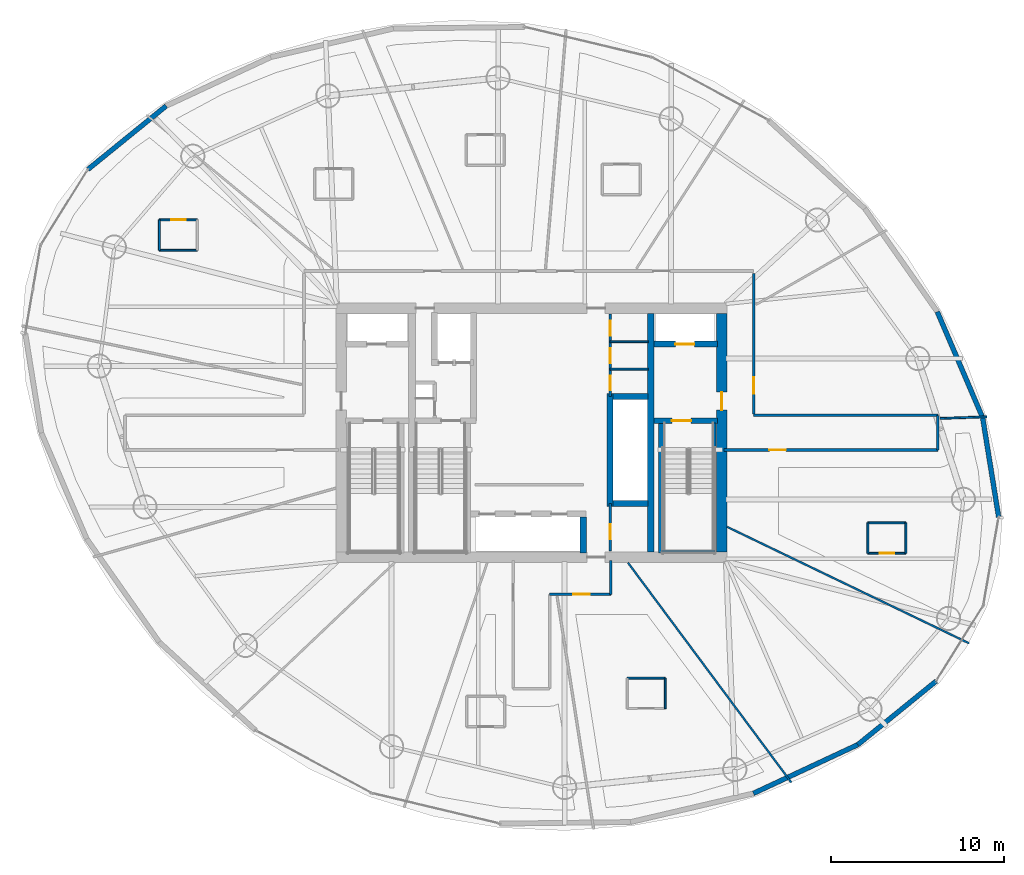
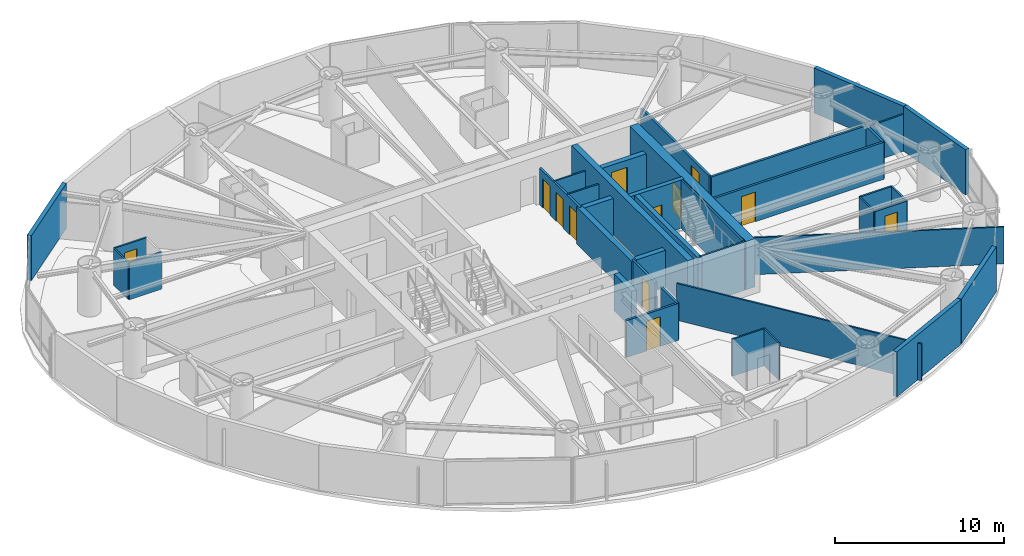
# One storey, part 17 of 22: 38 walls, 12 doors, 12 openings.
"""IFC4 building model written with IfcOpenShell, lengths in metres."""

from ifc_helpers import new_model, si_unit, direction, frame, frame_2d, origin, place, context, subcontext, project, spatial, rectangle, extrude, material, layer, layer_set, type_object, element, fill, save


model = new_model("IFC4")

# Units and contexts
model_context = context("Model", 3, precision=1e-05, world=origin(), true_north=direction((0.0, 1.0)))
body_context = subcontext(model_context, "Body", "Model", "MODEL_VIEW")
ifc_project = project(units=[si_unit("LENGTHUNIT", "METRE"), si_unit("AREAUNIT", "SQUARE_METRE"), si_unit("VOLUMEUNIT", "CUBIC_METRE"), si_unit("PLANEANGLEUNIT", "RADIAN"), si_unit("MASSUNIT", "GRAM", prefix="KILO")], contexts=[model_context])

# Site, building, storey
site_placement = place(None, origin())
site = spatial("IfcSite", under=ifc_project, at=site_placement, CompositionType="ELEMENT")
building_placement = place(site_placement, origin())
building = spatial("IfcBuilding", under=site, at=building_placement, Name="Bramvorn Convention Spire", CompositionType="ELEMENT")
storey_placement = place(building_placement, frame((0.0, 0.0, 116.800048828125)))
storey = spatial("IfcBuildingStorey", under=building, at=storey_placement, Name="L28", CompositionType="ELEMENT", Elevation=116.800048828125)

# Wall, opening, door
ifc_material_1 = material(Name="Concrete C60/70", Category="concrete")
ifc_layer_1 = layer(ifc_material_1, 0.60009765625)
ifc_layer_set_1 = layer_set([ifc_layer_1], Name="Concrete C60/70 - WL-CORE-600")
wall_type_1 = type_object("IfcWallType", Name="WL-CORE-600", PredefinedType="SHEAR", material=ifc_layer_set_1)
wall_1_placement = place(storey_placement, frame((49.0, 19.10009765625, 0.0), z_axis=(0.0, 0.0, 1.0), x_axis=(0.0, 1.0, 0.0)))
wall_1 = element("IfcWall", 1, at=wall_1_placement, inside=storey, type_object=wall_type_1, Name="L28 East RC core shear wall", PredefinedType="SHEAR", context=body_context, shape_type="SweptSolid", body=[
    extrude(rectangle(XDim=13.7998046875, YDim=0.60009765625, at=frame_2d((6.89990234375, 0.0))), origin(), (0.0, 0.0, 1.0), 3.5),
])
opening_1_placement = place(wall_1_placement, frame((8.199951171875, 0.0, 0.0)))
opening_1 = element("IfcOpeningElement", 2, at=opening_1_placement, cuts=wall_1, Name="Opening DL-105", PredefinedType="OPENING", context=body_context, shape_type="SweptSolid", body=[
    extrude(rectangle(XDim=1.050048828125, YDim=2.14990234375, at=frame_2d((0.52490234375, 1.074951171875))), frame((0.0, 0.31005859375, 0.0), z_axis=(0.0, -1.0, 0.0), x_axis=(1.0, 0.0, 0.0)), (0.0, 0.0, 1.0), 0.6201171875),
])
ifc_material_2 = material(Name="Smoke-Sealed Fire Lobby Timber-Core Door", Category="wood")
door_type_1 = type_object("IfcDoorType", Name="DR-LOBBY-1050", OperationType="NOTDEFINED", PredefinedType="DOOR", material=ifc_material_2)
door_1_placement = place(opening_1_placement, origin())
door_1 = element("IfcDoor", 3, at=door_1_placement, inside=storey, type_object=door_type_1, Name="L28 East Firefighting Lobby corridor door", OperationType="SINGLE_SWING_LEFT", OverallHeight=2.14990234375, OverallWidth=1.050048828125, PredefinedType="DOOR", context=body_context, shape_type="SweptSolid", body=[
    extrude(rectangle(XDim=1.050048828125, YDim=2.14990234375, at=frame_2d((0.52490234375, 1.074951171875))), frame((0.0, 0.02490234375, 0.0), z_axis=(0.0, -1.0, 0.0), x_axis=(1.0, 0.0, 0.0)), (0.0, 0.0, 1.0), 0.050048828125),
])
fill(opening_1, door_1)

ifc_material_3 = material(Name="Concrete C50/60", Category="concrete")
ifc_layer_2 = layer(ifc_material_3, 0.35009765625)
ifc_layer_set_2 = layer_set([ifc_layer_2], Name="Concrete C50/60 - WL-CORE-INT-350")
wall_type_2 = type_object("IfcWallType", Name="WL-CORE-INT-350", PredefinedType="SHEAR", material=ifc_layer_set_2)
wall_2_placement = place(storey_placement, frame((45.080078125, 31.1201171875, 0.0), z_axis=(0.0, 0.0, 1.0), x_axis=(1.0, 0.0, 0.0)))
wall_2 = element("IfcWall", 4, at=wall_2_placement, inside=storey, type_object=wall_type_2, Name="L28 FE2 shaft front wall", PredefinedType="SHEAR", context=body_context, shape_type="SweptSolid", body=[
    extrude(rectangle(XDim=3.669921875, YDim=0.35009765625, at=frame_2d((1.8349609375, 0.0))), origin(), (0.0, 0.0, 1.0), 2.675048828125),
])
opening_2_placement = place(wall_2_placement, frame((1.25, 0.0, 0.0)))
opening_2 = element("IfcOpeningElement", 5, at=opening_2_placement, cuts=wall_2, Name="Opening LD-110", PredefinedType="OPENING", context=body_context, shape_type="SweptSolid", body=[
    extrude(rectangle(XDim=1.10009765625, YDim=2.14990234375, at=frame_2d((0.550048828125, 1.074951171875))), frame((0.0, 0.18505859375, 0.0), z_axis=(0.0, -1.0, 0.0), x_axis=(1.0, 0.0, 0.0)), (0.0, 0.0, 1.0), 0.3701171875),
])
ifc_material_4 = material(Name="Firefighting & Service Lift Sliding Landing Door", Category="steel")
door_type_2 = type_object("IfcDoorType", Name="DR-LIFT-LD-1100", OperationType="NOTDEFINED", PredefinedType="DOOR", material=ifc_material_4)
door_2_placement = place(opening_2_placement, origin())
door_2 = element("IfcDoor", 6, at=door_2_placement, inside=storey, type_object=door_type_2, Name="L28 Lift FE2 Sliding Landing Door", OperationType="SLIDING_TO_LEFT", OverallHeight=2.14990234375, OverallWidth=1.10009765625, PredefinedType="DOOR", context=body_context, shape_type="SweptSolid", body=[
    extrude(rectangle(XDim=1.10009765625, YDim=2.14990234375, at=frame_2d((0.550048828125, 1.074951171875))), frame((0.0, 0.02490234375, 0.0), z_axis=(0.0, -1.0, 0.0), x_axis=(1.0, 0.0, 0.0)), (0.0, 0.0, 1.0), 0.050048828125),
])
fill(opening_2, door_2)

# Walls
wall_3_placement = place(storey_placement, frame((42.550048828125, 21.72998046875, 0.0), z_axis=(0.0, 0.0, 1.0), x_axis=(0.0, 1.0, 0.0)))
element("IfcWall", 7, at=wall_3_placement, inside=storey, type_object=wall_type_2, Name="L28 High-rise lift bank west wall", PredefinedType="SHEAR", context=body_context, shape_type="SweptSolid", body=[
    extrude(rectangle(XDim=6.5400390625, YDim=0.35009765625, at=frame_2d((3.27001953125, 0.0))), origin(), (0.0, 0.0, 1.0), 2.675048828125),
])
for number, where, z_axis, x_axis, name in (
    (8, (42.719970703125, 21.89990234375, 0.0), (0.0, 0.0, 1.0), (1.0, 0.0, 0.0), "L28 High-rise lift bank south wall"),
    (9, (42.719970703125, 28.10009765625, 0.0), (0.0, 0.0, 1.0), (1.0, 0.0, 0.0), "L28 High-rise lift bank north wall"),
):
    element("IfcWall", number, at=place(storey_placement, frame(where, z_axis=z_axis, x_axis=x_axis)), inside=storey, type_object=wall_type_2, Name=name, PredefinedType="SHEAR", context=body_context, shape_type="SweptSolid", body=[
        extrude(rectangle(XDim=2.030029296875, YDim=0.35009765625, at=frame_2d((1.01513671875, 0.0))), origin(), (0.0, 0.0, 1.0), 2.675048828125),
    ])
wall_4_placement = place(storey_placement, frame((41.0, 19.050048828125, 0.0), z_axis=(0.0, 0.0, 1.0), x_axis=(0.0, 1.0, 0.0)))
element("IfcWall", 10, at=wall_4_placement, inside=storey, type_object=wall_type_2, Name="L28 Mid-rise bank east cheek wall", PredefinedType="SHEAR", context=body_context, shape_type="SweptSolid", body=[
    extrude(rectangle(XDim=2.079833984375, YDim=0.35009765625, at=frame_2d((1.0400390625, 0.0))), origin(), (0.0, 0.0, 1.0), 2.675048828125),
])
ifc_layer_3 = layer(ifc_material_1, 0.39990234375)
ifc_layer_set_3 = layer_set([ifc_layer_3], Name="Concrete C60/70 - WL-CORE-INT-400")
wall_type_3 = type_object("IfcWallType", Name="WL-CORE-INT-400", PredefinedType="SHEAR", material=ifc_layer_set_3)
wall_5_placement = place(storey_placement, frame((44.89990234375, 19.10009765625, 0.0), z_axis=(0.0, 0.0, 1.0), x_axis=(0.0, 1.0, 0.0)))
element("IfcWall", 11, at=wall_5_placement, inside=storey, type_object=wall_type_3, Name="L28 East internal core shear web", PredefinedType="SHEAR", context=body_context, shape_type="SweptSolid", body=[
    extrude(rectangle(XDim=13.7998046875, YDim=0.39990234375, at=frame_2d((6.89990234375, 0.0))), origin(), (0.0, 0.0, 1.0), 3.5),
])
ifc_material_5 = material(Name="Precast Concrete C40/50 with Bronze Terracotta Rainscreen", Category="masonry")
ifc_layer_4 = layer(ifc_material_5, 0.300048828125)
ifc_layer_set_4 = layer_set([ifc_layer_4], Name="Precast Concrete C40/50 with Bronze Terracotta Rainscreen - WL-EXT-BRONZE-300")
wall_type_4 = type_object("IfcWallType", Name="WL-EXT-BRONZE-300", PredefinedType="SOLIDWALL", material=ifc_layer_set_4)
wall_6_placement = place(storey_placement, frame((64.096435546875, 26.86572265625, 0.0), z_axis=(0.0, 0.0, 1.0), x_axis=(0.158909460881, -0.987293159726, 0.0)))
element("IfcWall", 12, at=wall_6_placement, inside=storey, type_object=wall_type_4, Name="L28 expressed bronze Gothic lancet pier wall 02", PredefinedType="SOLIDWALL", context=body_context, shape_type="SweptSolid", body=[
    extrude(rectangle(XDim=5.82275390625, YDim=0.280029296875, at=frame_2d((2.911376953125, 0.0))), origin(), (0.0, 0.0, 1.0), 3.260009765625),
])
wall_7_placement = place(storey_placement, frame((61.47216796875, 32.992431640625, 0.0), z_axis=(0.0, 0.0, 1.0), x_axis=(0.393733615398, -0.919224586326, 0.0)))
element("IfcWall", 13, at=wall_7_placement, inside=storey, type_object=wall_type_4, Name="L28 expressed bronze Gothic lancet pier wall 03", PredefinedType="SOLIDWALL", context=body_context, shape_type="SweptSolid", body=[
    extrude(rectangle(XDim=6.6650390625, YDim=0.280029296875, at=frame_2d((3.33251953125, 0.0))), origin(), (0.0, 0.0, 1.0), 3.260009765625),
])
wall_8_placement = place(storey_placement, frame((12.359130859375, 41.226806640625, 0.0), z_axis=(0.0, 0.0, 1.0), x_axis=(0.776513988791, 0.630100012071, 0.0)))
element("IfcWall", 14, at=wall_8_placement, inside=storey, type_object=wall_type_4, Name="L28 expressed bronze Gothic lancet pier wall 11", PredefinedType="SOLIDWALL", context=body_context, shape_type="SweptSolid", body=[
    extrude(rectangle(XDim=5.82275390625, YDim=0.280029296875, at=frame_2d((2.911376953125, 0.0))), origin(), (0.0, 0.0, 1.0), 3.260009765625),
])
wall_9_placement = place(storey_placement, frame((56.877197265625, 7.96044921875, 0.0), z_axis=(0.0, 0.0, 1.0), x_axis=(-0.906209341309, -0.422829315119, 0.0)))
element("IfcWall", 15, at=wall_9_placement, inside=storey, type_object=wall_type_4, Name="L28 expressed bronze Gothic lancet pier wall 22", PredefinedType="SOLIDWALL", context=body_context, shape_type="SweptSolid", body=[
    extrude(rectangle(XDim=6.664794921875, YDim=0.280029296875, at=frame_2d((3.33251953125, 0.0))), origin(), (0.0, 0.0, 1.0), 3.260009765625),
])
wall_10_placement = place(storey_placement, frame((61.398681640625, 11.62939453125, 0.0), z_axis=(0.0, 0.0, 1.0), x_axis=(-0.776513988791, -0.630100012071, 0.0)))
element("IfcWall", 16, at=wall_10_placement, inside=storey, type_object=wall_type_4, Name="L28 expressed bronze Gothic lancet pier wall 23", PredefinedType="SOLIDWALL", context=body_context, shape_type="SweptSolid", body=[
    extrude(rectangle(XDim=5.82275390625, YDim=0.280029296875, at=frame_2d((2.911376953125, 0.0))), origin(), (0.0, 0.0, 1.0), 3.260009765625),
])
ifc_material_6 = material(Name="Lightweight En-Suite & Wet-Wall Partition", Category="gypsum")
ifc_layer_5 = layer(ifc_material_6, 0.110107421875)
ifc_layer_set_5 = layer_set([ifc_layer_5], Name="Lightweight En-Suite & Wet-Wall Partition - WL-PART-110")
wall_type_5 = type_object("IfcWallType", Name="WL-PART-110", PredefinedType="PARTITIONING", material=ifc_layer_set_5)
for number, where, z_axis, x_axis, name in (
    (17, (42.550048828125, 29.679931640625, 0.0), (0.0, 0.0, 1.0), (1.0, 0.0, 0.0), "L28 KC NE div 1"),
    (18, (42.550048828125, 31.260009765625, 0.0), (0.0, 0.0, 1.0), (1.0, 0.0, 0.0), "L28 KC NE div 2"),
):
    element("IfcWall", number, at=place(storey_placement, frame(where, z_axis=z_axis, x_axis=x_axis)), inside=storey, type_object=wall_type_5, Name=name, PredefinedType="PARTITIONING", context=body_context, shape_type="SweptSolid", body=[
        extrude(rectangle(XDim=2.199951171875, YDim=0.110107421875, at=frame_2d((1.10009765625, 0.0))), origin(), (0.0, 0.0, 1.0), 2.675048828125),
    ])
wall_11_placement = place(storey_placement, frame((61.639892578125, 26.825439453125, 0.0), z_axis=(0.0, 0.0, 1.0), x_axis=(0.999389106182, 0.03494874026, 0.0)))
element("IfcWall", 19, at=wall_11_placement, inside=storey, type_object=wall_type_5, Name="L28 Guestroom demising wall 1", PredefinedType="PARTITIONING", context=body_context, shape_type="SweptSolid", body=[
    extrude(rectangle(XDim=2.696533203125, YDim=0.110107421875, at=frame_2d((1.34814453125, 0.0))), origin(), (0.0, 0.0, 1.0), 2.675048828125),
])
wall_12_placement = place(storey_placement, frame((43.587890625, 18.47998046875, 0.0), z_axis=(0.0, 0.0, 1.0), x_axis=(0.596440621001, -0.802657203057, 0.0)))
element("IfcWall", 20, at=wall_12_placement, inside=storey, type_object=wall_type_5, Name="L28 Guestroom demising wall 12", PredefinedType="PARTITIONING", context=body_context, shape_type="SweptSolid", body=[
    extrude(rectangle(XDim=15.840576171875, YDim=0.110107421875, at=frame_2d((7.92041015625, 0.0))), origin(), (0.0, 0.0, 1.0), 2.675048828125),
])
wall_13_placement = place(storey_placement, frame((49.320068359375, 20.553955078125, 0.0), z_axis=(0.0, 0.0, 1.0), x_axis=(0.901134026531, -0.433540616583, 0.0)))
element("IfcWall", 21, at=wall_13_placement, inside=storey, type_object=wall_type_5, Name="L28 Guestroom demising wall 13", PredefinedType="PARTITIONING", context=body_context, shape_type="SweptSolid", body=[
    extrude(rectangle(XDim=15.5361328125, YDim=0.110107421875, at=frame_2d((7.76806640625, 0.0))), origin(), (0.0, 0.0, 1.0), 2.675048828125),
])
wall_14_placement = place(storey_placement, frame((16.484375, 36.54931640625, 0.0), z_axis=(0.0, 0.0, 1.0), x_axis=(1.0, 0.0, 0.0)))
element("IfcWall", 22, at=wall_14_placement, inside=storey, type_object=wall_type_5, Name="Hotel Suite 2806 en-suite south wall", PredefinedType="PARTITIONING", context=body_context, shape_type="SweptSolid", body=[
    extrude(rectangle(XDim=2.199951171875, YDim=0.110107421875, at=frame_2d((1.10009765625, 0.0))), origin(), (0.0, 0.0, 1.0), 2.675048828125),
])

# Wall, opening, door
wall_15_placement = place(storey_placement, frame((16.484375, 38.30908203125, 0.0), z_axis=(0.0, 0.0, 1.0), x_axis=(1.0, 0.0, 0.0)))
wall_15 = element("IfcWall", 23, at=wall_15_placement, inside=storey, type_object=wall_type_5, Name="Hotel Suite 2806 en-suite north wall", PredefinedType="PARTITIONING", context=body_context, shape_type="SweptSolid", body=[
    extrude(rectangle(XDim=2.199951171875, YDim=0.110107421875, at=frame_2d((1.10009765625, 0.0))), origin(), (0.0, 0.0, 1.0), 2.675048828125),
])
opening_3_placement = place(wall_15_placement, frame((0.679931640625, 0.0, 0.0)))
opening_3 = element("IfcOpeningElement", 24, at=opening_3_placement, cuts=wall_15, Name="Opening DI-085", PredefinedType="OPENING", context=body_context, shape_type="SweptSolid", body=[
    extrude(rectangle(XDim=0.85009765625, YDim=2.10009765625, at=frame_2d((0.425048828125, 1.050048828125))), frame((0.0, 0.06494140625, 0.0), z_axis=(0.0, -1.0, 0.0), x_axis=(1.0, 0.0, 0.0)), (0.0, 0.0, 1.0), 0.130126953125),
])
ifc_material_7 = material(Name="En-Suite & Restroom Privacy Door", Category="wood")
door_type_3 = type_object("IfcDoorType", Name="DR-INT-850", OperationType="NOTDEFINED", PredefinedType="DOOR", material=ifc_material_7)
door_3_placement = place(opening_3_placement, origin())
door_3 = element("IfcDoor", 25, at=door_3_placement, inside=storey, type_object=door_type_3, Name="Hotel Suite 2806 En-Suite Bathroom door", OperationType="SINGLE_SWING_LEFT", OverallHeight=2.10009765625, OverallWidth=0.85009765625, PredefinedType="DOOR", context=body_context, shape_type="SweptSolid", body=[
    extrude(rectangle(XDim=0.85009765625, YDim=2.10009765625, at=frame_2d((0.425048828125, 1.050048828125))), frame((0.0, 0.02490234375, 0.0), z_axis=(0.0, -1.0, 0.0), x_axis=(1.0, 0.0, 0.0)), (0.0, 0.0, 1.0), 0.050048828125),
])
fill(opening_3, door_3)

# Walls
wall_16_placement = place(storey_placement, frame((16.484375, 36.54931640625, 0.0), z_axis=(0.0, 0.0, 1.0), x_axis=(0.0, 1.0, 0.0)))
element("IfcWall", 26, at=wall_16_placement, inside=storey, type_object=wall_type_5, Name="Hotel Suite 2806 en-suite west wall", PredefinedType="PARTITIONING", context=body_context, shape_type="SweptSolid", body=[
    extrude(rectangle(XDim=1.759765625, YDim=0.110107421875, at=frame_2d((0.8798828125, 0.0))), origin(), (0.0, 0.0, 1.0), 2.675048828125),
])
wall_17_placement = place(storey_placement, frame((43.541259765625, 11.8115234375, 0.0), z_axis=(0.0, 0.0, 1.0), x_axis=(1.0, 0.0, 0.0)))
element("IfcWall", 27, at=wall_17_placement, inside=storey, type_object=wall_type_5, Name="Hotel Suite 2811 en-suite north wall", PredefinedType="PARTITIONING", context=body_context, shape_type="SweptSolid", body=[
    extrude(rectangle(XDim=2.199951171875, YDim=0.110107421875, at=frame_2d((1.10009765625, 0.0))), origin(), (0.0, 0.0, 1.0), 2.675048828125),
])
wall_18_placement = place(storey_placement, frame((45.7412109375, 10.051513671875, 0.0), z_axis=(0.0, 0.0, 1.0), x_axis=(0.0, 1.0, 0.0)))
element("IfcWall", 28, at=wall_18_placement, inside=storey, type_object=wall_type_5, Name="Hotel Suite 2811 en-suite east wall", PredefinedType="PARTITIONING", context=body_context, shape_type="SweptSolid", body=[
    extrude(rectangle(XDim=1.760009765625, YDim=0.110107421875, at=frame_2d((0.8798828125, 0.0))), origin(), (0.0, 0.0, 1.0), 2.675048828125),
])

# Wall, opening, door
wall_19_placement = place(storey_placement, frame((57.457275390625, 19.027099609375, 0.0), z_axis=(0.0, 0.0, 1.0), x_axis=(1.0, 0.0, 0.0)))
wall_19 = element("IfcWall", 29, at=wall_19_placement, inside=storey, type_object=wall_type_5, Name="Hotel Suite 2813 en-suite south wall", PredefinedType="PARTITIONING", context=body_context, shape_type="SweptSolid", body=[
    extrude(rectangle(XDim=2.199951171875, YDim=0.110107421875, at=frame_2d((1.10009765625, 0.0))), origin(), (0.0, 0.0, 1.0), 2.675048828125),
])
opening_4_placement = place(wall_19_placement, frame((0.679931640625, 0.0, 0.0)))
opening_4 = element("IfcOpeningElement", 30, at=opening_4_placement, cuts=wall_19, Name="Opening DI-085", PredefinedType="OPENING", context=body_context, shape_type="SweptSolid", body=[
    extrude(rectangle(XDim=0.85009765625, YDim=2.10009765625, at=frame_2d((0.425048828125, 1.050048828125))), frame((0.0, 0.06494140625, 0.0), z_axis=(0.0, -1.0, 0.0), x_axis=(1.0, 0.0, 0.0)), (0.0, 0.0, 1.0), 0.130126953125),
])
door_4_placement = place(opening_4_placement, origin())
door_4 = element("IfcDoor", 31, at=door_4_placement, inside=storey, type_object=door_type_3, Name="Hotel Suite 2813 En-Suite Bathroom door", OperationType="SINGLE_SWING_LEFT", OverallHeight=2.10009765625, OverallWidth=0.85009765625, PredefinedType="DOOR", context=body_context, shape_type="SweptSolid", body=[
    extrude(rectangle(XDim=0.85009765625, YDim=2.10009765625, at=frame_2d((0.425048828125, 1.050048828125))), frame((0.0, 0.02490234375, 0.0), z_axis=(0.0, -1.0, 0.0), x_axis=(1.0, 0.0, 0.0)), (0.0, 0.0, 1.0), 0.050048828125),
])
fill(opening_4, door_4)

# Walls
wall_20_placement = place(storey_placement, frame((57.457275390625, 20.787109375, 0.0), z_axis=(0.0, 0.0, 1.0), x_axis=(1.0, 0.0, 0.0)))
element("IfcWall", 32, at=wall_20_placement, inside=storey, type_object=wall_type_5, Name="Hotel Suite 2813 en-suite north wall", PredefinedType="PARTITIONING", context=body_context, shape_type="SweptSolid", body=[
    extrude(rectangle(XDim=2.199951171875, YDim=0.110107421875, at=frame_2d((1.10009765625, 0.0))), origin(), (0.0, 0.0, 1.0), 2.675048828125),
])
for number, where, z_axis, x_axis, name in (
    (33, (57.457275390625, 19.027099609375, 0.0), (0.0, 0.0, 1.0), (0.0, 1.0, 0.0), "Hotel Suite 2813 en-suite west wall"),
    (34, (59.6572265625, 19.027099609375, 0.0), (0.0, 0.0, 1.0), (0.0, 1.0, 0.0), "Hotel Suite 2813 en-suite east wall"),
):
    element("IfcWall", number, at=place(storey_placement, frame(where, z_axis=z_axis, x_axis=x_axis)), inside=storey, type_object=wall_type_5, Name=name, PredefinedType="PARTITIONING", context=body_context, shape_type="SweptSolid", body=[
        extrude(rectangle(XDim=1.760009765625, YDim=0.110107421875, at=frame_2d((0.8798828125, 0.0))), origin(), (0.0, 0.0, 1.0), 2.675048828125),
    ])

# Wall, openings, doors
ifc_material_8 = material(Name="Acoustic Metal-Stud Tenant/Corridor Partition", Category="gypsum")
ifc_layer_6 = layer(ifc_material_8, 0.14990234375)
ifc_layer_set_6 = layer_set([ifc_layer_6], Name="Acoustic Metal-Stud Tenant/Corridor Partition - WL-PART-150")
wall_type_6 = type_object("IfcWallType", Name="WL-PART-150", PredefinedType="PARTITIONING", material=ifc_layer_set_6)
wall_21_placement = place(storey_placement, frame((42.550048828125, 28.10009765625, 0.0), z_axis=(0.0, 0.0, 1.0), x_axis=(0.0, 1.0, 0.0)))
wall_21 = element("IfcWall", 35, at=wall_21_placement, inside=storey, type_object=wall_type_6, Name="L28 KC NE wall", PredefinedType="PARTITIONING", context=body_context, shape_type="SweptSolid", body=[
    extrude(rectangle(XDim=4.75, YDim=0.14990234375, at=frame_2d((2.375, 0.0))), origin(), (0.0, 0.0, 1.0), 2.675048828125),
])
opening_5_placement = place(wall_21_placement, frame((0.35009765625, 0.0, 0.0)))
opening_5 = element("IfcOpeningElement", 36, at=opening_5_placement, cuts=wall_21, Name="Opening DC-085", PredefinedType="OPENING", context=body_context, shape_type="SweptSolid", body=[
    extrude(rectangle(XDim=0.85009765625, YDim=2.10009765625, at=frame_2d((0.425048828125, 1.050048828125))), frame((0.0, 0.0849609375, 0.0), z_axis=(0.0, -1.0, 0.0), x_axis=(1.0, 0.0, 0.0)), (0.0, 0.0, 1.0), 0.169921875),
])
opening_6_placement = place(wall_21_placement, frame((1.929931640625, 0.0, 0.0)))
opening_6 = element("IfcOpeningElement", 37, at=opening_6_placement, cuts=wall_21, Name="Opening DC-085", PredefinedType="OPENING", context=body_context, shape_type="SweptSolid", body=[
    extrude(rectangle(XDim=0.85009765625, YDim=2.10009765625, at=frame_2d((0.425048828125, 1.050048828125))), frame((0.0, 0.0849609375, 0.0), z_axis=(0.0, -1.0, 0.0), x_axis=(1.0, 0.0, 0.0)), (0.0, 0.0, 1.0), 0.169921875),
])
opening_7_placement = place(wall_21_placement, frame((3.510009765625, 0.0, 0.0)))
opening_7 = element("IfcOpeningElement", 38, at=opening_7_placement, cuts=wall_21, Name="Opening DC-085", PredefinedType="OPENING", context=body_context, shape_type="SweptSolid", body=[
    extrude(rectangle(XDim=0.85009765625, YDim=2.10009765625, at=frame_2d((0.425048828125, 1.050048828125))), frame((0.0, 0.0849609375, 0.0), z_axis=(0.0, -1.0, 0.0), x_axis=(1.0, 0.0, 0.0)), (0.0, 0.0, 1.0), 0.169921875),
])
ifc_material_9 = material(Name="Fire-Rated Core Washroom & IDF Door", Category="wood")
door_type_4 = type_object("IfcDoorType", Name="DR-CORE-850", OperationType="NOTDEFINED", PredefinedType="DOOR", material=ifc_material_9)
door_5_placement = place(opening_5_placement, origin())
door_5 = element("IfcDoor", 39, at=door_5_placement, inside=storey, type_object=door_type_4, Name="L28 Accessible Core Restroom door", OperationType="SINGLE_SWING_LEFT", OverallHeight=2.10009765625, OverallWidth=0.85009765625, PredefinedType="DOOR", context=body_context, shape_type="SweptSolid", body=[
    extrude(rectangle(XDim=0.85009765625, YDim=2.10009765625, at=frame_2d((0.425048828125, 1.050048828125))), frame((0.0, 0.02490234375, 0.0), z_axis=(0.0, -1.0, 0.0), x_axis=(1.0, 0.0, 0.0)), (0.0, 0.0, 1.0), 0.050048828125),
])
fill(opening_5, door_5)
door_6_placement = place(opening_6_placement, origin())
door_6 = element("IfcDoor", 40, at=door_6_placement, inside=storey, type_object=door_type_4, Name="L28 Floor Housekeeping & Linen Store door", OperationType="SINGLE_SWING_LEFT", OverallHeight=2.10009765625, OverallWidth=0.85009765625, PredefinedType="DOOR", context=body_context, shape_type="SweptSolid", body=[
    extrude(rectangle(XDim=0.85009765625, YDim=2.10009765625, at=frame_2d((0.425048828125, 1.050048828125))), frame((0.0, 0.02490234375, 0.0), z_axis=(0.0, -1.0, 0.0), x_axis=(1.0, 0.0, 0.0)), (0.0, 0.0, 1.0), 0.050048828125),
])
fill(opening_6, door_6)
door_7_placement = place(opening_7_placement, origin())
door_7 = element("IfcDoor", 41, at=door_7_placement, inside=storey, type_object=door_type_4, Name="L28 Core Comms Closet door", OperationType="SINGLE_SWING_LEFT", OverallHeight=2.10009765625, OverallWidth=0.85009765625, PredefinedType="DOOR", context=body_context, shape_type="SweptSolid", body=[
    extrude(rectangle(XDim=0.85009765625, YDim=2.10009765625, at=frame_2d((0.425048828125, 1.050048828125))), frame((0.0, 0.02490234375, 0.0), z_axis=(0.0, -1.0, 0.0), x_axis=(1.0, 0.0, 0.0)), (0.0, 0.0, 1.0), 0.050048828125),
])
fill(opening_7, door_7)

# Wall, opening, door
wall_22_placement = place(storey_placement, frame((42.550048828125, 19.14990234375, 0.0), z_axis=(0.0, 0.0, 1.0), x_axis=(0.0, 1.0, 0.0)))
wall_22 = element("IfcWall", 42, at=wall_22_placement, inside=storey, type_object=wall_type_6, Name="L28 KC SE wall", PredefinedType="PARTITIONING", context=body_context, shape_type="SweptSolid", body=[
    extrude(rectangle(XDim=2.75, YDim=0.14990234375, at=frame_2d((1.375, 0.0))), origin(), (0.0, 0.0, 1.0), 2.675048828125),
])
opening_8_placement = place(wall_22_placement, frame((0.699951171875, 0.0, 0.0)))
opening_8 = element("IfcOpeningElement", 43, at=opening_8_placement, cuts=wall_22, Name="Opening DC-085", PredefinedType="OPENING", context=body_context, shape_type="SweptSolid", body=[
    extrude(rectangle(XDim=0.85009765625, YDim=2.10009765625, at=frame_2d((0.425048828125, 1.050048828125))), frame((0.0, 0.0849609375, 0.0), z_axis=(0.0, -1.0, 0.0), x_axis=(1.0, 0.0, 0.0)), (0.0, 0.0, 1.0), 0.169921875),
])
door_8_placement = place(opening_8_placement, origin())
door_8 = element("IfcDoor", 44, at=door_8_placement, inside=storey, type_object=door_type_4, Name="L28 Core Valve & Riser Room door", OperationType="SINGLE_SWING_LEFT", OverallHeight=2.10009765625, OverallWidth=0.85009765625, PredefinedType="DOOR", context=body_context, shape_type="SweptSolid", body=[
    extrude(rectangle(XDim=0.85009765625, YDim=2.10009765625, at=frame_2d((0.425048828125, 1.050048828125))), frame((0.0, 0.02490234375, 0.0), z_axis=(0.0, -1.0, 0.0), x_axis=(1.0, 0.0, 0.0)), (0.0, 0.0, 1.0), 0.050048828125),
])
fill(opening_8, door_8)

wall_23_placement = place(storey_placement, frame((50.85009765625, 27.080078125, 0.0), z_axis=(0.0, 0.0, 1.0), x_axis=(0.0, 1.0, 0.0)))
wall_23 = element("IfcWall", 45, at=wall_23_placement, inside=storey, type_object=wall_type_6, Name="L28 NE gallery cheek", PredefinedType="PARTITIONING", context=body_context, shape_type="SweptSolid", body=[
    extrude(rectangle(XDim=8.119873046875, YDim=0.14990234375, at=frame_2d((4.06005859375, 0.0))), origin(), (0.0, 0.0, 1.0), 2.675048828125),
])
opening_9_placement = place(wall_23_placement, frame((1.178955078125, 0.0, 0.0)))
opening_9 = element("IfcOpeningElement", 46, at=opening_9_placement, cuts=wall_23, Name="Opening DH-095", PredefinedType="OPENING", context=body_context, shape_type="SweptSolid", body=[
    extrude(rectangle(XDim=0.949951171875, YDim=2.14990234375, at=frame_2d((0.47509765625, 1.074951171875))), frame((0.0, 0.0849609375, 0.0), z_axis=(0.0, -1.0, 0.0), x_axis=(1.0, 0.0, 0.0)), (0.0, 0.0, 1.0), 0.169921875),
])
ifc_material_10 = material(Name="Solid-Core Acoustic Guestroom Entry Door", Category="wood")
door_type_5 = type_object("IfcDoorType", Name="DR-HOTEL-950", OperationType="NOTDEFINED", PredefinedType="DOOR", material=ifc_material_10)
door_9_placement = place(opening_9_placement, origin())
door_9 = element("IfcDoor", 47, at=door_9_placement, inside=storey, type_object=door_type_5, Name="L28 Hospitality Lounge 1 door", OperationType="SINGLE_SWING_RIGHT", OverallHeight=2.14990234375, OverallWidth=0.949951171875, PredefinedType="DOOR", context=body_context, shape_type="SweptSolid", body=[
    extrude(rectangle(XDim=0.949951171875, YDim=2.14990234375, at=frame_2d((0.47509765625, 1.074951171875))), frame((0.0, 0.02490234375, 0.0), z_axis=(0.0, -1.0, 0.0), x_axis=(1.0, 0.0, 0.0)), (0.0, 0.0, 1.0), 0.050048828125),
])
fill(opening_9, door_9)

# Wall
wall_24_placement = place(storey_placement, frame((50.85009765625, 27.0, 0.0), z_axis=(0.0, 0.0, 1.0), x_axis=(1.0, 0.0, 0.0)))
element("IfcWall", 48, at=wall_24_placement, inside=storey, type_object=wall_type_6, Name="L28 East wing spine north wall", PredefinedType="PARTITIONING", context=body_context, shape_type="SweptSolid", body=[
    extrude(rectangle(XDim=10.64990234375, YDim=0.14990234375, at=frame_2d((5.324951171875, 0.0))), origin(), (0.0, 0.0, 1.0), 2.675048828125),
])

# Wall, opening, door
wall_25_placement = place(storey_placement, frame((49.14990234375, 25.0, 0.0), z_axis=(0.0, 0.0, 1.0), x_axis=(1.0, 0.0, 0.0)))
wall_25 = element("IfcWall", 49, at=wall_25_placement, inside=storey, type_object=wall_type_6, Name="L28 East wing spine south wall", PredefinedType="PARTITIONING", context=body_context, shape_type="SweptSolid", body=[
    extrude(rectangle(XDim=12.35009765625, YDim=0.14990234375, at=frame_2d((6.175048828125, 0.0))), origin(), (0.0, 0.0, 1.0), 2.675048828125),
])
opening_10_placement = place(wall_25_placement, frame((2.612548828125, 0.0, 0.0)))
opening_10 = element("IfcOpeningElement", 50, at=opening_10_placement, cuts=wall_25, Name="Opening DH-095", PredefinedType="OPENING", context=body_context, shape_type="SweptSolid", body=[
    extrude(rectangle(XDim=0.949951171875, YDim=2.14990234375, at=frame_2d((0.47509765625, 1.074951171875))), frame((0.0, 0.0849609375, 0.0), z_axis=(0.0, -1.0, 0.0), x_axis=(1.0, 0.0, 0.0)), (0.0, 0.0, 1.0), 0.169921875),
])
door_10_placement = place(opening_10_placement, origin())
door_10 = element("IfcDoor", 51, at=door_10_placement, inside=storey, type_object=door_type_5, Name="Hotel Suite 2813 entry door", OperationType="SINGLE_SWING_RIGHT", OverallHeight=2.14990234375, OverallWidth=0.949951171875, PredefinedType="DOOR", context=body_context, shape_type="SweptSolid", body=[
    extrude(rectangle(XDim=0.949951171875, YDim=2.14990234375, at=frame_2d((0.47509765625, 1.074951171875))), frame((0.0, 0.02490234375, 0.0), z_axis=(0.0, -1.0, 0.0), x_axis=(1.0, 0.0, 0.0)), (0.0, 0.0, 1.0), 0.050048828125),
])
fill(opening_10, door_10)

# Wall
wall_26_placement = place(storey_placement, frame((61.5, 25.0, 0.0), z_axis=(0.0, 0.0, 1.0), x_axis=(0.0, 1.0, 0.0)))
element("IfcWall", 52, at=wall_26_placement, inside=storey, type_object=wall_type_6, Name="L28 East wing spine end wall", PredefinedType="PARTITIONING", context=body_context, shape_type="SweptSolid", body=[
    extrude(rectangle(XDim=2.0, YDim=0.14990234375, at=frame_2d((1.0, 0.0))), origin(), (0.0, 0.0, 1.0), 2.675048828125),
])

# Wall, opening, door
wall_27_placement = place(storey_placement, frame((39.050048828125, 16.64990234375, 0.0), z_axis=(0.0, 0.0, 1.0), x_axis=(1.0, 0.0, 0.0)))
wall_27 = element("IfcWall", 53, at=wall_27_placement, inside=storey, type_object=wall_type_6, Name="L28 South lift lobby link wall", PredefinedType="PARTITIONING", context=body_context, shape_type="SweptSolid", body=[
    extrude(rectangle(XDim=3.550048828125, YDim=0.14990234375, at=frame_2d((1.77490234375, 0.0))), origin(), (0.0, 0.0, 1.0), 2.675048828125),
])
opening_11_placement = place(wall_27_placement, frame((1.370361328125, 0.0, 0.0)))
opening_11 = element("IfcOpeningElement", 54, at=opening_11_placement, cuts=wall_27, Name="Opening DH-095", PredefinedType="OPENING", context=body_context, shape_type="SweptSolid", body=[
    extrude(rectangle(XDim=0.949951171875, YDim=2.14990234375, at=frame_2d((0.47509765625, 1.074951171875))), frame((0.0, 0.0849609375, 0.0), z_axis=(0.0, -1.0, 0.0), x_axis=(1.0, 0.0, 0.0)), (0.0, 0.0, 1.0), 0.169921875),
])
door_11_placement = place(opening_11_placement, origin())
door_11 = element("IfcDoor", 55, at=door_11_placement, inside=storey, type_object=door_type_5, Name="Hotel Suite 2811 entry door", OperationType="SINGLE_SWING_RIGHT", OverallHeight=2.14990234375, OverallWidth=0.949951171875, PredefinedType="DOOR", context=body_context, shape_type="SweptSolid", body=[
    extrude(rectangle(XDim=0.949951171875, YDim=2.14990234375, at=frame_2d((0.47509765625, 1.074951171875))), frame((0.0, 0.02490234375, 0.0), z_axis=(0.0, -1.0, 0.0), x_axis=(1.0, 0.0, 0.0)), (0.0, 0.0, 1.0), 0.050048828125),
])
fill(opening_11, door_11)

# Wall
wall_28_placement = place(storey_placement, frame((42.60009765625, 16.64990234375, 0.0), z_axis=(0.0, 0.0, 1.0), x_axis=(0.0, 1.0, 0.0)))
element("IfcWall", 56, at=wall_28_placement, inside=storey, type_object=wall_type_6, Name="L28 South lift lobby east cheek", PredefinedType="PARTITIONING", context=body_context, shape_type="SweptSolid", body=[
    extrude(rectangle(XDim=1.9501953125, YDim=0.14990234375, at=frame_2d((0.97509765625, 0.0))), origin(), (0.0, 0.0, 1.0), 2.675048828125),
])

# Wall, opening, door
ifc_layer_7 = layer(ifc_material_3, 0.300048828125)
ifc_layer_set_7 = layer_set([ifc_layer_7], Name="Concrete C50/60 - WL-POD-STAIR-300")
wall_type_7 = type_object("IfcWallType", Name="WL-POD-STAIR-300", PredefinedType="SHEAR", material=ifc_layer_set_7)
wall_29_placement = place(storey_placement, frame((45.080078125, 26.68994140625, 0.0), z_axis=(0.0, 0.0, 1.0), x_axis=(1.0, 0.0, 0.0)))
wall_29 = element("IfcWall", 57, at=wall_29_placement, inside=storey, type_object=wall_type_7, Name="L28 ST2 north fire wall", PredefinedType="SHEAR", context=body_context, shape_type="SweptSolid", body=[
    extrude(rectangle(XDim=3.669921875, YDim=0.300048828125, at=frame_2d((1.8349609375, 0.0))), origin(), (0.0, 0.0, 1.0), 3.5),
])
opening_12_placement = place(wall_29_placement, frame((1.050048828125, 0.0, 0.0)))
opening_12 = element("IfcOpeningElement", 58, at=opening_12_placement, cuts=wall_29, Name="Opening DS-110", PredefinedType="OPENING", context=body_context, shape_type="SweptSolid", body=[
    extrude(rectangle(XDim=1.10009765625, YDim=2.14990234375, at=frame_2d((0.550048828125, 1.074951171875))), frame((0.0, 0.159912109375, 0.0), z_axis=(0.0, -1.0, 0.0), x_axis=(1.0, 0.0, 0.0)), (0.0, 0.0, 1.0), 0.320068359375),
])
ifc_material_11 = material(Name="Fire-Rated Hollow Steel Stairwell Door", Category="steel")
door_type_6 = type_object("IfcDoorType", Name="DR-STAIR-1100", OperationType="NOTDEFINED", PredefinedType="DOOR", material=ifc_material_11)
door_12_placement = place(opening_12_placement, origin())
door_12 = element("IfcDoor", 59, at=door_12_placement, inside=storey, type_object=door_type_6, Name="L28 Stair ST2 fire door", OperationType="SINGLE_SWING_RIGHT", OverallHeight=2.14990234375, OverallWidth=1.10009765625, PredefinedType="DOOR", context=body_context, shape_type="SweptSolid", body=[
    extrude(rectangle(XDim=1.10009765625, YDim=2.14990234375, at=frame_2d((0.550048828125, 1.074951171875))), frame((0.0, 0.02490234375, 0.0), z_axis=(0.0, -1.0, 0.0), x_axis=(1.0, 0.0, 0.0)), (0.0, 0.0, 1.0), 0.050048828125),
])
fill(opening_12, door_12)

# Walls
wall_30_placement = place(storey_placement, frame((45.510009765625, 19.050048828125, 0.0), z_axis=(0.0, 0.0, 1.0), x_axis=(0.0, 1.0, 0.0)))
element("IfcWall", 60, at=wall_30_placement, inside=storey, type_object=wall_type_7, Name="L28 ST2 west bearing wall", PredefinedType="SHEAR", context=body_context, shape_type="SweptSolid", body=[
    extrude(rectangle(XDim=7.5, YDim=0.300048828125, at=frame_2d((3.75, 0.0))), origin(), (0.0, 0.0, 1.0), 3.5),
])
ifc_layer_8 = layer(ifc_material_3, 0.1201171875)
ifc_layer_set_8 = layer_set([ifc_layer_8], Name="Concrete C50/60 - WL-STAIR-RC-120")
wall_type_8 = type_object("IfcWallType", Name="WL-STAIR-RC-120", PredefinedType="SHEAR", material=ifc_layer_set_8)
wall_31_placement = place(storey_placement, frame((48.60498046875, 19.10009765625, 0.0), z_axis=(0.0, 0.0, 1.0), x_axis=(0.0, 1.0, 0.0)))
element("IfcWall", 61, at=wall_31_placement, inside=storey, type_object=wall_type_8, Name="L28 ST2 east bearing shear wall", PredefinedType="SHEAR", context=body_context, shape_type="SweptSolid", body=[
    extrude(rectangle(XDim=7.449951171875, YDim=0.1201171875, at=frame_2d((3.72509765625, 0.0))), origin(), (0.0, 0.0, 1.0), 3.5),
])
wall_32_placement = place(storey_placement, frame((45.510009765625, 19.159912109375, 0.0), z_axis=(0.0, 0.0, 1.0), x_axis=(1.0, 0.0, 0.0)))
element("IfcWall", 62, at=wall_32_placement, inside=storey, type_object=wall_type_8, Name="L28 ST2 south bearing shear wall", PredefinedType="SHEAR", context=body_context, shape_type="SweptSolid", body=[
    extrude(rectangle(XDim=3.094970703125, YDim=0.1201171875, at=frame_2d((1.54736328125, 0.0))), origin(), (0.0, 0.0, 1.0), 3.5),
])

save(model, "model.ifc")
